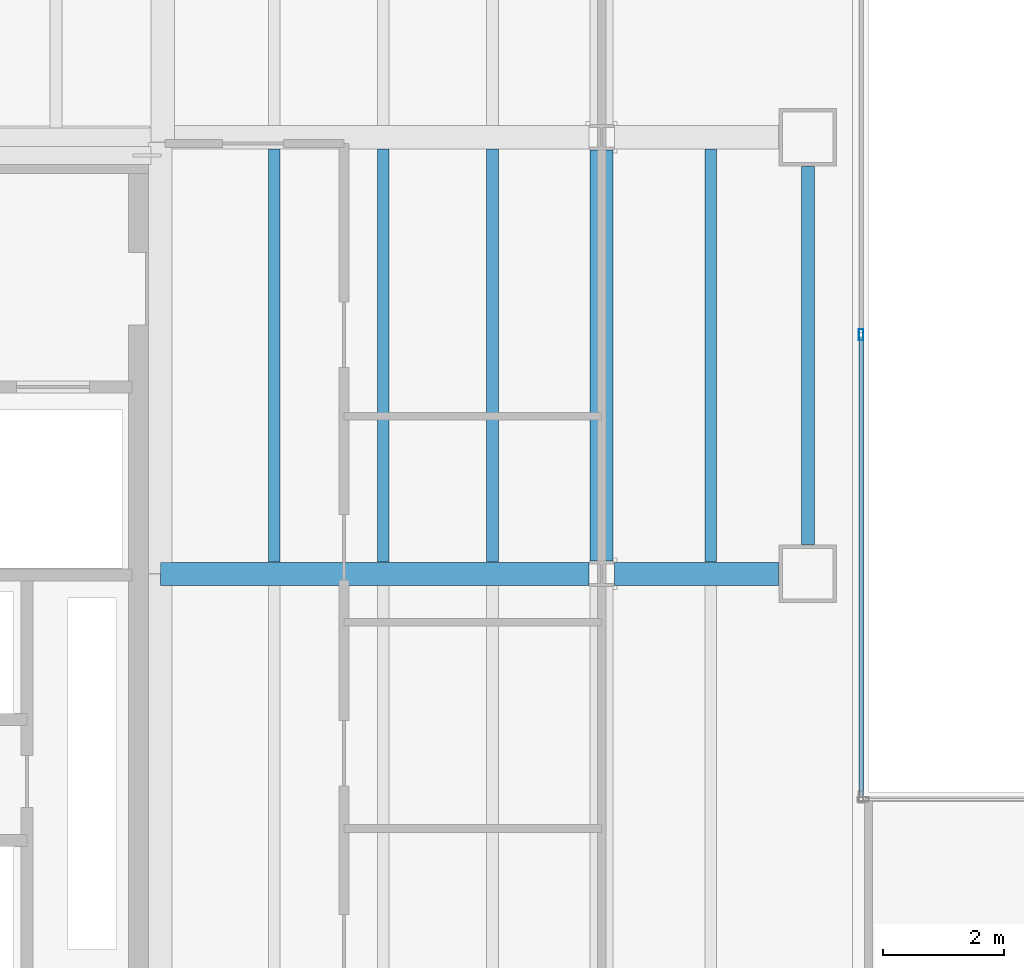
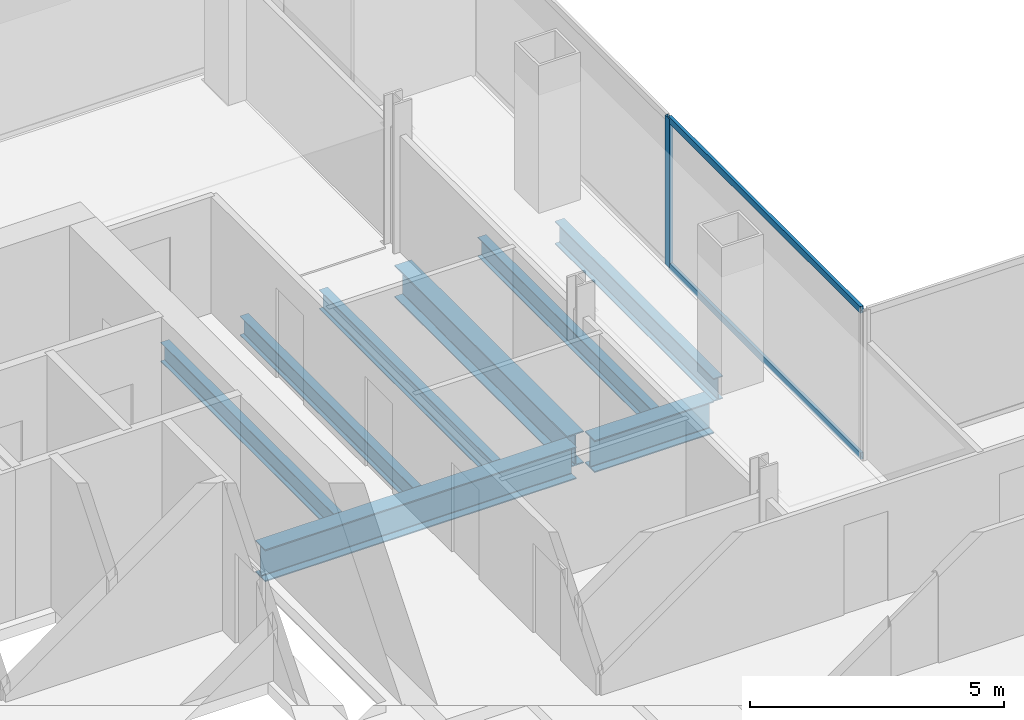
# One storey, part 8 of 23: 8 beams, 3 members, 1 element without a shape of its own.
"""IFC4 building model written with IfcOpenShell, lengths in metres."""

from ifc_helpers import new_model, si_unit, direction, frame, origin, origin_2d, place, context, subcontext, project, spatial, hollow_rectangle, i_section, extrude, material, material_profile, profile_set, type_object, element, aggregate, save


model = new_model("IFC4")

# Units and contexts
model_context = context("Model", 3, precision=1e-05, world=origin(), true_north=direction((0.0, 1.0)))
body_context = subcontext(model_context, "Body", "Model", "MODEL_VIEW")
ifc_project = project(units=[si_unit("LENGTHUNIT", "METRE"), si_unit("AREAUNIT", "SQUARE_METRE"), si_unit("VOLUMEUNIT", "CUBIC_METRE"), si_unit("PLANEANGLEUNIT", "RADIAN"), si_unit("MASSUNIT", "GRAM", prefix="KILO")], contexts=[model_context])

# Site, building, storey
site_placement = place(None, origin())
site = spatial("IfcSite", under=ifc_project, at=site_placement, CompositionType="ELEMENT")
building_placement = place(site_placement, origin())
building = spatial("IfcBuilding", under=site, at=building_placement, Name="Cobrela Telecom Tower", CompositionType="ELEMENT")
storey_placement = place(building_placement, frame((0.0, 0.0, 102.199951171875)))
storey = spatial("IfcBuildingStorey", under=building, at=storey_placement, Name="L25", CompositionType="ELEMENT", Elevation=102.199951171875)

# Beams
ifc_material_1 = material(Name="Steel ASTM A992 Grade 50", Category="steel")
ifc_material_profile_1 = material_profile(ifc_material_1, i_section(OverallWidth=0.381103515625, OverallDepth=0.77197265625, WebThickness=0.0166015625, FlangeThickness=0.027099609375, FilletRadius=0.01904296875, at=origin_2d()), Name="W30X173")
ifc_profile_set_1 = profile_set([ifc_material_profile_1], Name="Steel ASTM A992 Grade 50")
beam_type_1 = type_object("IfcBeamType", Name="BM-GIRD-04", PredefinedType="USERDEFINED", material=ifc_profile_set_1)
beam_1_placement = place(storey_placement, frame((14.324951171875, 28.800048828125, -0.656005859375), z_axis=(1.0, 0.0, 0.0), x_axis=(0.0, 1.0, 0.0)))
element("IfcBeam", 1, at=beam_1_placement, inside=storey, type_object=beam_type_1, Name="L25 Primary Girder X23", ObjectType="GIRDER", PredefinedType="USERDEFINED", context=body_context, shape_type="SweptSolid", body=[
    extrude(i_section(OverallWidth=0.381103515625, OverallDepth=0.77197265625, WebThickness=0.0166015625, FlangeThickness=0.027099609375, FilletRadius=0.01904296875, at=origin_2d()), origin(), (0.0, 0.0, 1.0), 7.0654296875),
])
beam_2_placement = place(storey_placement, frame((21.8095703125, 28.800048828125, -0.656005859375), z_axis=(1.0, 0.0, 0.0), x_axis=(0.0, 1.0, 0.0)))
element("IfcBeam", 2, at=beam_2_placement, inside=storey, type_object=beam_type_1, Name="L25 Primary Girder X24", ObjectType="GIRDER", PredefinedType="USERDEFINED", context=body_context, shape_type="SweptSolid", body=[
    extrude(i_section(OverallWidth=0.381103515625, OverallDepth=0.77197265625, WebThickness=0.0166015625, FlangeThickness=0.027099609375, FilletRadius=0.01904296875, at=origin_2d()), origin(), (0.0, 0.0, 1.0), 2.71044921875),
])
beam_3_placement = place(storey_placement, frame((21.60009765625, 29.009521484375, -0.656005859375), z_axis=(0.0, 1.0, 0.0), x_axis=(-1.0, 0.0, 0.0)))
element("IfcBeam", 3, at=beam_3_placement, inside=storey, type_object=beam_type_1, Name="L25 Primary Girder Y43", ObjectType="GIRDER", PredefinedType="USERDEFINED", context=body_context, shape_type="SweptSolid", body=[
    extrude(i_section(OverallWidth=0.381103515625, OverallDepth=0.77197265625, WebThickness=0.0166015625, FlangeThickness=0.027099609375, FilletRadius=0.01904296875, at=origin_2d()), origin(), (0.0, 0.0, 1.0), 6.781005859375),
])
ifc_material_profile_2 = material_profile(ifc_material_1, i_section(OverallWidth=0.193115234375, OverallDepth=0.467041015625, WebThickness=0.011474609375, FlangeThickness=0.01904296875, FilletRadius=0.012939453125, at=origin_2d()), Name="W18X65")
ifc_profile_set_2 = profile_set([ifc_material_profile_2], Name="Steel ASTM A992 Grade 50")
beam_type_2 = type_object("IfcBeamType", Name="BM-JOIST-03", PredefinedType="JOIST", material=ifc_profile_set_2)
for number, where, z_axis, x_axis, name in (
    (4, (16.199951171875, 28.99560546875, -0.50341796875), (0.0, 1.0, 0.0), (-1.0, 0.0, 0.0), "L25 Secondary Composite Floor Beam J07"),
    (5, (18.0, 28.99560546875, -0.50341796875), (0.0, 1.0, 0.0), (-1.0, 0.0, 0.0), "L25 Secondary Composite Floor Beam J12"),
    (6, (19.800048828125, 28.99560546875, -0.50341796875), (0.0, 1.0, 0.0), (-1.0, 0.0, 0.0), "L25 Secondary Composite Floor Beam J17"),
    (7, (23.39990234375, 28.99560546875, -0.50341796875), (0.0, 1.0, 0.0), (-1.0, 0.0, 0.0), "L25 Secondary Composite Floor Beam J22"),
):
    element("IfcBeam", number, at=place(storey_placement, frame(where, z_axis=z_axis, x_axis=x_axis)), inside=storey, type_object=beam_type_2, Name=name, PredefinedType="JOIST", context=body_context, shape_type="SweptSolid", body=[
        extrude(i_section(OverallWidth=0.193115234375, OverallDepth=0.467041015625, WebThickness=0.011474609375, FlangeThickness=0.01904296875, FilletRadius=0.012939453125, at=origin_2d()), origin(), (0.0, 0.0, 1.0), 6.808837890625),
    ])
ifc_material_profile_3 = material_profile(ifc_material_1, i_section(OverallWidth=0.212890625, OverallDepth=0.549072265625, WebThickness=0.0146484375, FlangeThickness=0.023681640625, FilletRadius=0.013916015625, at=origin_2d()), Name="W21X93")
ifc_profile_set_3 = profile_set([ifc_material_profile_3], Name="Steel ASTM A992 Grade 50")
beam_type_3 = type_object("IfcBeamType", Name="BM-SPAND-03", PredefinedType="SPANDREL", material=ifc_profile_set_3)
beam_4_placement = place(storey_placement, frame((25.0, 29.280029296875, -0.54443359375), z_axis=(0.0, 1.0, 0.0), x_axis=(-1.0, 0.0, 0.0)))
element("IfcBeam", 8, at=beam_4_placement, inside=storey, type_object=beam_type_3, Name="L25 Perimeter Spandrel Y45", PredefinedType="SPANDREL", context=body_context, shape_type="SweptSolid", body=[
    extrude(i_section(OverallWidth=0.212890625, OverallDepth=0.549072265625, WebThickness=0.0146484375, FlangeThickness=0.023681640625, FilletRadius=0.013916015625, at=origin_2d()), origin(), (0.0, 0.0, 1.0), 6.239990234375),
])

# Curtain wall, members
ifc_material_2 = material(Name="Anodized Bronze Aluminium 6063-T6", Category="aluminium")
curtain_wall_type = type_object("IfcCurtainWallType", Name="CW-SYS-TEL", PredefinedType="USERDEFINED", material=ifc_material_2)
curtain_wall_placement = place(storey_placement, origin())
curtain_wall = element("IfcCurtainWall", 9, at=curtain_wall_placement, inside=storey, type_object=curtain_wall_type, Name="L25 Unitised Bronze Curtain Wall 10", ObjectType="UNITISED CURTAIN WALL", PredefinedType="USERDEFINED")
ifc_material_profile_4 = material_profile(ifc_material_2, hollow_rectangle(XDim=0.074951171875, YDim=0.179931640625, WallThickness=0.00390625, at=origin_2d()), Name="ALU 75x180x4")
ifc_profile_set_4 = profile_set([ifc_material_profile_4], Name="Anodized Bronze Aluminium 6063-T6")
member_type_1 = type_object("IfcMemberType", Name="CW-SYS-TEL-MUL", PredefinedType="MULLION", material=ifc_profile_set_4)
member_1_placement = place(storey_placement, frame((25.8798828125, 32.7451171875, 0.0), z_axis=(0.0, 0.0, 1.0), x_axis=(1.0, 0.0, 0.0)))
member_1 = element("IfcMember", 10, at=member_1_placement, type_object=member_type_1, Name="CW-TEL mullion 2", PredefinedType="MULLION", context=body_context, shape_type="SweptSolid", body=[
    extrude(hollow_rectangle(XDim=0.074951171875, YDim=0.179931640625, WallThickness=0.00390625, at=origin_2d()), origin(), (0.0, 0.0, 1.0), 3.580078125),
])
ifc_material_profile_5 = material_profile(ifc_material_2, hollow_rectangle(XDim=0.070068359375, YDim=0.159912109375, WallThickness=0.00390625, at=origin_2d()), Name="ALU 70x160x4")
ifc_profile_set_5 = profile_set([ifc_material_profile_5], Name="Anodized Bronze Aluminium 6063-T6")
member_type_2 = type_object("IfcMemberType", Name="CW-SYS-TEL-TRN", PredefinedType="USERDEFINED", material=ifc_profile_set_5)
member_2_placement = place(storey_placement, frame((25.8798828125, 32.70751953125, 0.03515625), z_axis=(0.0, -1.0, 0.0), x_axis=(1.0, 0.0, 0.0)))
member_2 = element("IfcMember", 11, at=member_2_placement, type_object=member_type_2, Name="CW-TEL transom 2.1", ObjectType="TRANSOM", PredefinedType="USERDEFINED", context=body_context, shape_type="SweptSolid", body=[
    extrude(hollow_rectangle(XDim=0.070068359375, YDim=0.159912109375, WallThickness=0.00390625, at=origin_2d()), origin(), (0.0, 0.0, 1.0), 7.552490234375),
])
member_3_placement = place(storey_placement, frame((25.8798828125, 32.70751953125, 3.545166015625), z_axis=(0.0, -1.0, 0.0), x_axis=(1.0, 0.0, 0.0)))
member_3 = element("IfcMember", 12, at=member_3_placement, type_object=member_type_2, Name="CW-TEL transom 2.2", ObjectType="TRANSOM", PredefinedType="USERDEFINED", context=body_context, shape_type="SweptSolid", body=[
    extrude(hollow_rectangle(XDim=0.070068359375, YDim=0.159912109375, WallThickness=0.00390625, at=origin_2d()), origin(), (0.0, 0.0, 1.0), 7.552490234375),
])
aggregate(curtain_wall, [member_1, member_2, member_3])

save(model, "model.ifc")
